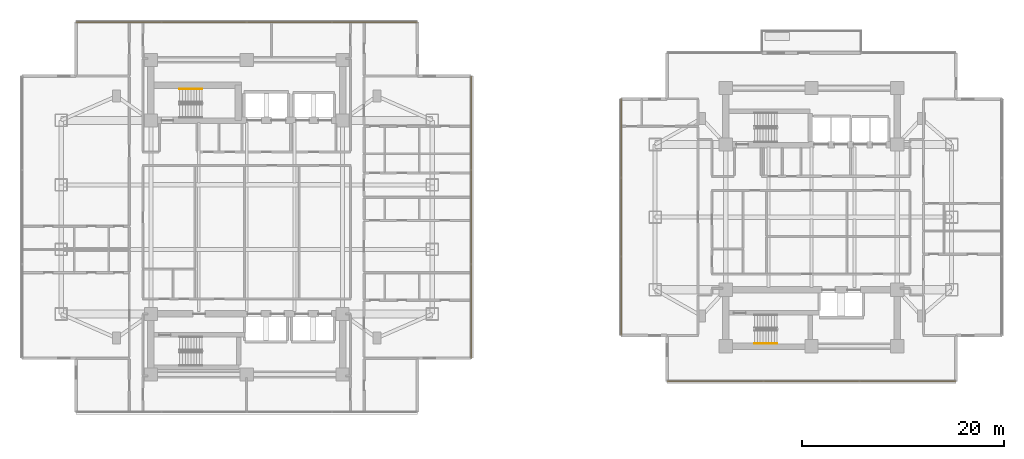
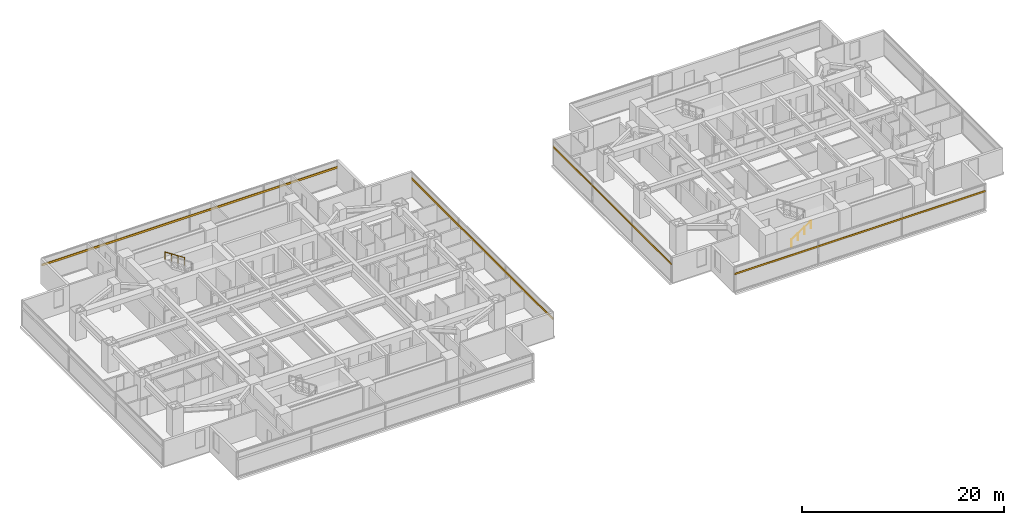
# One storey, part 22 of 24: 4 shading devices, 2 railings.
"""IFC4 building model written with IfcOpenShell, lengths in metres."""

from ifc_helpers import new_model, si_unit, direction, frame, origin, origin_2d, place, context, subcontext, project, spatial, rectangle, circle, extrude, material, material_profile, profile_set, type_object, element, save


model = new_model("IFC4")

# Units and contexts
model_context = context("Model", 3, precision=1e-05, world=origin(), true_north=direction((0.0, 1.0)))
body_context = subcontext(model_context, "Body", "Model", "MODEL_VIEW")
ifc_project = project(units=[si_unit("LENGTHUNIT", "METRE"), si_unit("AREAUNIT", "SQUARE_METRE"), si_unit("VOLUMEUNIT", "CUBIC_METRE"), si_unit("PLANEANGLEUNIT", "RADIAN"), si_unit("MASSUNIT", "GRAM", prefix="KILO")], contexts=[model_context])

# Site, building, storey
site_placement = place(None, origin())
site = spatial("IfcSite", under=ifc_project, at=site_placement, CompositionType="ELEMENT")
building_placement = place(site_placement, origin())
building = spatial("IfcBuilding", under=site, at=building_placement, Name="Mirazonda Arch Towers", CompositionType="ELEMENT")
storey_placement = place(building_placement, frame((0.0, 0.0, 71.89990234375)))
storey = spatial("IfcBuildingStorey", under=building, at=storey_placement, Name="L20", CompositionType="ELEMENT", Elevation=71.89990234375)

# Shading devices
ifc_material_1 = material(Name="Kiln-Fired Architectural Terracotta", Category="masonry")
ifc_material_profile_1 = material_profile(ifc_material_1, rectangle(XDim=0.1201171875, YDim=0.239990234375, at=origin_2d()), Name="TERRA-BAG-120x240")
ifc_profile_set_1 = profile_set([ifc_material_profile_1], Name="Kiln-Fired Architectural Terracotta")
shading_device_type_1 = type_object("IfcShadingDeviceType", Name="BAGUETTE-1", PredefinedType="USERDEFINED", material=ifc_profile_set_1)
shading_device_1_placement = place(storey_placement, frame((42.760009765625, 14.011962890625, 2.18896484375), z_axis=(0.0, 1.0, 0.0), x_axis=(-1.0, 0.0, 0.0)))
element("IfcShadingDevice", 1, at=shading_device_1_placement, inside=storey, type_object=shading_device_type_1, Name="L20 Glazed Terracotta Sun-Screen Baguette CW-L20-T1-E", ObjectType="BAGUETTE", PredefinedType="USERDEFINED", context=body_context, shape_type="SweptSolid", body=[
    extrude(rectangle(XDim=0.1201171875, YDim=0.239990234375, at=origin_2d()), origin(), (0.0, 0.0, 1.0), 27.97607421875),
])
shading_device_2_placement = place(storey_placement, frame((3.580078125, 47.327880859375, 2.18896484375), z_axis=(1.0, 0.0, 0.0), x_axis=(0.0, 1.0, 0.0)))
element("IfcShadingDevice", 2, at=shading_device_2_placement, inside=storey, type_object=shading_device_type_1, Name="L20 Glazed Terracotta Sun-Screen Baguette CW-L20-T1-N", ObjectType="BAGUETTE", PredefinedType="USERDEFINED", context=body_context, shape_type="SweptSolid", body=[
    extrude(rectangle(XDim=0.1201171875, YDim=0.239990234375, at=origin_2d()), origin(), (0.0, 0.0, 1.0), 33.83984375),
])
ifc_material_profile_2 = material_profile(ifc_material_1, rectangle(XDim=0.10009765625, YDim=0.199951171875, at=origin_2d()), Name="TERRA-BAG-100x200")
ifc_profile_set_2 = profile_set([ifc_material_profile_2], Name="Kiln-Fired Architectural Terracotta")
shading_device_type_2 = type_object("IfcShadingDeviceType", Name="BAGUETTE-2", PredefinedType="USERDEFINED", material=ifc_profile_set_2)
shading_device_3_placement = place(storey_placement, frame((90.822021484375, 11.72412109375, 2.18896484375), z_axis=(-1.0, 0.0, 0.0), x_axis=(0.0, -1.0, 0.0)))
element("IfcShadingDevice", 3, at=shading_device_3_placement, inside=storey, type_object=shading_device_type_2, Name="L20 Glazed Terracotta Sun-Screen Baguette CW-L20-T2-S", ObjectType="BAGUETTE", PredefinedType="USERDEFINED", context=body_context, shape_type="SweptSolid", body=[
    extrude(rectangle(XDim=0.10009765625, YDim=0.199951171875, at=origin_2d()), origin(), (0.0, 0.0, 1.0), 28.64404296875),
])
shading_device_4_placement = place(storey_placement, frame((57.632080078125, 39.729736328125, 2.18896484375), z_axis=(0.0, -1.0, 0.0), x_axis=(1.0, 0.0, 0.0)))
element("IfcShadingDevice", 4, at=shading_device_4_placement, inside=storey, type_object=shading_device_type_2, Name="L20 Glazed Terracotta Sun-Screen Baguette CW-L20-T2-W", ObjectType="BAGUETTE", PredefinedType="USERDEFINED", context=body_context, shape_type="SweptSolid", body=[
    extrude(rectangle(XDim=0.10009765625, YDim=0.199951171875, at=origin_2d()), origin(), (0.0, 0.0, 1.0), 23.45947265625),
])

# Railings
ifc_material_2 = material(Name="Architectural Brushed Steel S355", Category="steel")
railing_type = type_object("IfcRailingType", Name="HANDRAIL-915", PredefinedType="HANDRAIL", material=ifc_material_2)
railing_1_placement = place(storey_placement, frame((16.090087890625, 40.7099609375, 1.83349609375)))
element("IfcRailing", 5, at=railing_1_placement, inside=storey, type_object=railing_type, Name="L20 ST-T1N stair handrail 2", PredefinedType="HANDRAIL", context=body_context, shape_type="SweptSolid", body=[
    extrude(circle(Radius=0.02392578125, at=origin_2d()), frame((0.0, 0.0, 0.8759765625), z_axis=(-0.836636935527, 0.0, 0.547757827979), x_axis=(0.0, -1.0, 0.0)), (0.0, 0.0, 1.0), 2.677490234375),
    extrude(circle(Radius=0.02099609375, at=origin_2d()), origin(), (0.0, 0.0, 1.0), 0.851806640625),
    extrude(circle(Radius=0.02099609375, at=origin_2d()), frame((-0.74658203125, 0.0, 0.48876953125)), (0.0, 0.0, 1.0), 0.851806640625),
    extrude(circle(Radius=0.02099609375, at=origin_2d()), frame((-1.493408203125, 0.0, 0.977783203125)), (0.0, 0.0, 1.0), 0.851806640625),
    extrude(circle(Radius=0.02099609375, at=origin_2d()), frame((-2.239990234375, 0.0, 1.466552734375)), (0.0, 0.0, 1.0), 0.851806640625),
])
railing_2_placement = place(storey_placement, frame((70.85009765625, 15.469970703125, 0.183349609375)))
element("IfcRailing", 6, at=railing_2_placement, inside=storey, type_object=railing_type, Name="L20 ST-T2S stair handrail 1", PredefinedType="HANDRAIL", context=body_context, shape_type="SweptSolid", body=[
    extrude(circle(Radius=0.02392578125, at=origin_2d()), frame((0.0, 0.0, 0.8759765625), z_axis=(0.836595146698, 0.0, 0.547821650285), x_axis=(0.0, 1.0, 0.0)), (0.0, 0.0, 1.0), 2.677490234375),
    extrude(circle(Radius=0.02099609375, at=origin_2d()), origin(), (0.0, 0.0, 1.0), 0.851806640625),
    extrude(circle(Radius=0.02099609375, at=origin_2d()), frame((0.74658203125, 0.0, 0.489013671875)), (0.0, 0.0, 1.0), 0.851806640625),
    extrude(circle(Radius=0.02099609375, at=origin_2d()), frame((1.493408203125, 0.0, 0.977783203125)), (0.0, 0.0, 1.0), 0.851806640625),
    extrude(circle(Radius=0.02099609375, at=origin_2d()), frame((2.239990234375, 0.0, 1.466796875)), (0.0, 0.0, 1.0), 0.851806640625),
])

save(model, "model.ifc")
